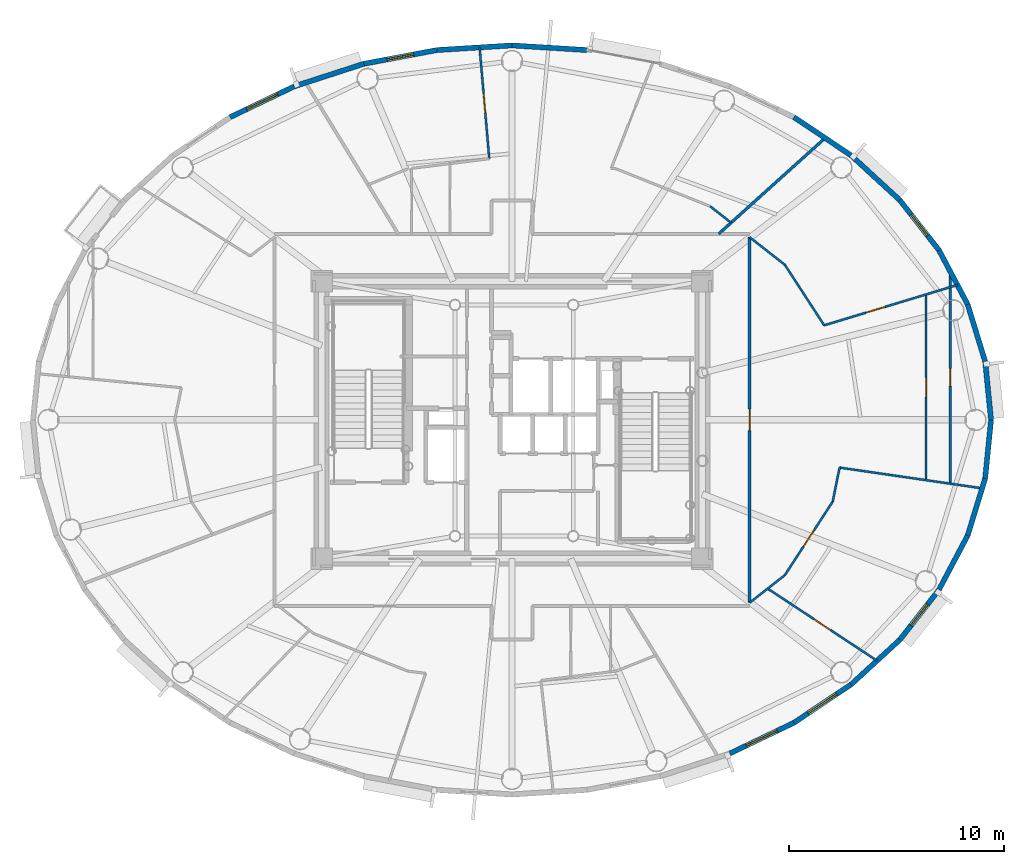
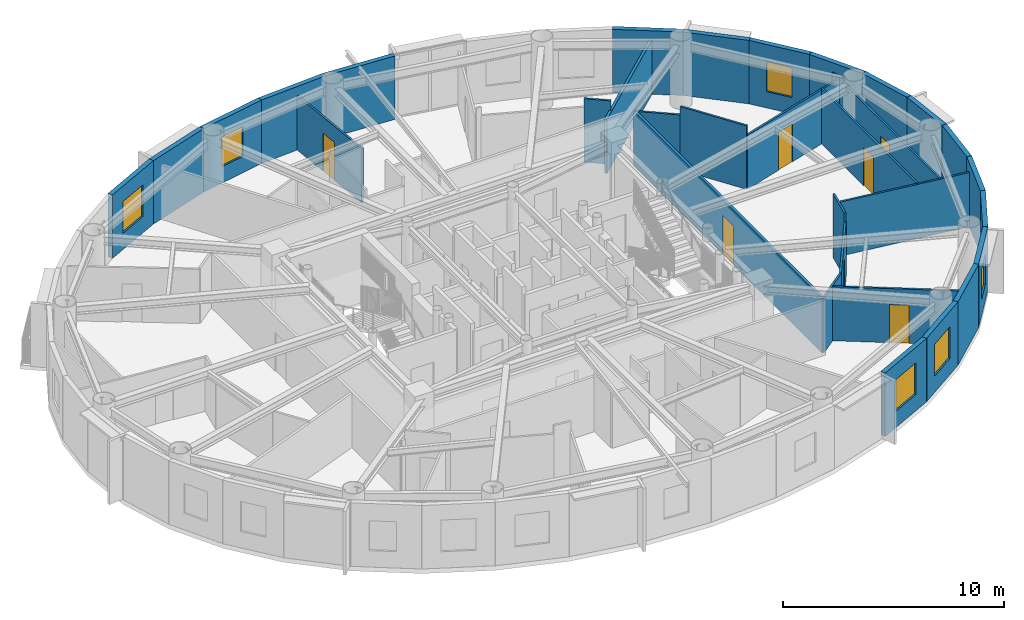
# One storey, part 9 of 17: 32 walls, 7 doors, 6 windows, 13 openings.
"""IFC4 building model written with IfcOpenShell, lengths in metres."""

from ifc_helpers import new_model, si_unit, direction, frame, frame_2d, origin, origin_2d, place, context, subcontext, project, spatial, rectangle, extrude, source, transform, mapped, material, layer, layer_set, type_object, element, fill, save


model = new_model("IFC4")

# Units and contexts
model_context = context("Model", 3, precision=1e-05, world=origin(), true_north=direction((0.0, 1.0)))
body_context = subcontext(model_context, "Body", "Model", "MODEL_VIEW")
ifc_project = project(units=[si_unit("LENGTHUNIT", "METRE"), si_unit("AREAUNIT", "SQUARE_METRE"), si_unit("VOLUMEUNIT", "CUBIC_METRE"), si_unit("PLANEANGLEUNIT", "RADIAN"), si_unit("MASSUNIT", "GRAM", prefix="KILO")], contexts=[model_context])

# Site, building, storey
site_placement = place(None, origin())
site = spatial("IfcSite", under=ifc_project, at=site_placement, CompositionType="ELEMENT")
building_placement = place(site_placement, origin())
building = spatial("IfcBuilding", under=site, at=building_placement, Name="Linh Dai School and Residence Tower", CompositionType="ELEMENT")
storey_placement = place(building_placement, frame((0.0, 0.0, 284.25)))
storey = spatial("IfcBuildingStorey", under=building, at=storey_placement, Name="L70", CompositionType="ELEMENT", Elevation=284.25)

# Walls
ifc_material_1 = material(Name="Precast Concrete B45 (C35/45)", Category="concrete")
ifc_layer_1 = layer(ifc_material_1, 0.239990234375)
ifc_layer_set_1 = layer_set([ifc_layer_1], Name="Precast Concrete B45 (C35/45)")
wall_type_1 = type_object("IfcWallType", Name="EW-TC-240", PredefinedType="SOLIDWALL", material=ifc_layer_set_1)
wall_1_placement = place(storey_placement, frame((58.001708984375, 29.718994140625, 0.0), z_axis=(0.0, 0.0, 1.0), x_axis=(0.099972526841, -0.99499019788, 0.0)))
element("IfcWall", 1, at=wall_1_placement, inside=storey, type_object=wall_type_1, Name="L70 Terracotta Exterior Wall 01", PredefinedType="SOLIDWALL", context=body_context, shape_type="SweptSolid", body=[
    extrude(rectangle(XDim=2.732666015625, YDim=0.239990234375, at=frame_2d((1.3662109375, 0.0))), origin(), (0.0, 0.0, 1.0), 3.5),
])
wall_2_placement = place(storey_placement, frame((57.188232421875, 32.372314453125, 0.0), z_axis=(0.0, 0.0, 1.0), x_axis=(0.2931213403, -0.956075248012, 0.0)))
element("IfcWall", 2, at=wall_2_placement, inside=storey, type_object=wall_type_1, Name="L70 Terracotta Exterior Wall 02", PredefinedType="SOLIDWALL", context=body_context, shape_type="SweptSolid", body=[
    extrude(rectangle(XDim=2.775146484375, YDim=0.239990234375, at=frame_2d((1.3876953125, 0.0))), origin(), (0.0, 0.0, 1.0), 3.5),
])
wall_3_placement = place(storey_placement, frame((55.853759765625, 34.894775390625, 0.0), z_axis=(0.0, 0.0, 1.0), x_axis=(0.467628269026, -0.883925224218, 0.0)))
element("IfcWall", 3, at=wall_3_placement, inside=storey, type_object=wall_type_1, Name="L70 Terracotta Exterior Wall 03", PredefinedType="SOLIDWALL", context=body_context, shape_type="SweptSolid", body=[
    extrude(rectangle(XDim=2.853759765625, YDim=0.239990234375, at=frame_2d((1.4267578125, 0.0))), origin(), (0.0, 0.0, 1.0), 3.5),
])

# Wall, opening, window
wall_4_placement = place(storey_placement, frame((54.0302734375, 37.224609375, 0.0), z_axis=(0.0, 0.0, 1.0), x_axis=(0.616337186556, -0.787482363275, 0.0)))
wall_4 = element("IfcWall", 4, at=wall_4_placement, inside=storey, type_object=wall_type_1, Name="L70 Terracotta Exterior Wall 04", PredefinedType="SOLIDWALL", context=body_context, shape_type="SweptSolid", body=[
    extrude(rectangle(XDim=2.95849609375, YDim=0.239990234375, at=frame_2d((1.479248046875, 0.0))), origin(), (0.0, 0.0, 1.0), 3.5),
])
opening_1_placement = place(wall_4_placement, frame((0.85400390625, 0.0, 0.89990234375)))
opening_1 = element("IfcOpeningElement", 5, at=opening_1_placement, cuts=wall_4, Name="Opening W3", PredefinedType="OPENING", context=body_context, shape_type="SweptSolid", body=[
    extrude(rectangle(XDim=1.25, YDim=1.64990234375, at=origin_2d()), frame((0.625, 0.1298828125, 0.824951171875), z_axis=(0.0, -1.0, 0.0), x_axis=(1.0, 0.0, 0.0)), (0.0, 0.0, 1.0), 0.260009765625),
])
ifc_material_2 = material(Name="Double Low-E Insulated Glazing", Category="glass")
window_type_1 = type_object("IfcWindowType", Name="WN-RES-1250x1650", PartitioningType="SINGLE_PANEL", PredefinedType="WINDOW", material=ifc_material_2)
shared_shape_1 = source(origin(), body_context, "Body", "SweptSolid", [
    extrude(rectangle(XDim=1.25, YDim=1.64990234375, at=origin_2d()), frame((0.625, 0.030029296875, 0.824951171875), z_axis=(0.0, -1.0, 0.0), x_axis=(1.0, 0.0, 0.0)), (0.0, 0.0, 1.0), 0.06005859375),
])
window_1_placement = place(opening_1_placement, origin())
window_1 = element("IfcWindow", 6, at=window_1_placement, inside=storey, type_object=window_type_1, Name="L70 Exterior Window 04.1", OverallHeight=1.64990234375, OverallWidth=1.25, PartitioningType="SINGLE_PANEL", PredefinedType="WINDOW", context=body_context, shape_type="MappedRepresentation", body=[
    mapped(shared_shape_1, transform((0.0, 0.0, 0.0), x_axis=(1.0, 0.0, 0.0), y_axis=(0.0, 1.0, 0.0), z_axis=(0.0, 0.0, 1.0), scale=1.0)),
])
fill(opening_1, window_1)

# Walls
wall_5_placement = place(storey_placement, frame((51.76220703125, 39.30419921875, 0.0), z_axis=(0.0, 0.0, 1.0), x_axis=(0.737068506972, -0.675818034703, 0.0)))
element("IfcWall", 7, at=wall_5_placement, inside=storey, type_object=wall_type_1, Name="L70 Terracotta Exterior Wall 05", PredefinedType="SOLIDWALL", context=body_context, shape_type="SweptSolid", body=[
    extrude(rectangle(XDim=3.0771484375, YDim=0.239990234375, at=frame_2d((1.53857421875, 0.0))), origin(), (0.0, 0.0, 1.0), 3.5),
])
wall_6_placement = place(storey_placement, frame((49.1044921875, 41.08154296875, 0.0), z_axis=(0.0, 0.0, 1.0), x_axis=(0.831250592635, -0.55589787933, 0.0)))
element("IfcWall", 8, at=wall_6_placement, inside=storey, type_object=wall_type_1, Name="L70 Terracotta Exterior Wall 06", PredefinedType="SOLIDWALL", context=body_context, shape_type="SweptSolid", body=[
    extrude(rectangle(XDim=3.197265625, YDim=0.239990234375, at=frame_2d((1.5986328125, 0.0))), origin(), (0.0, 0.0, 1.0), 3.5),
])
for number, where, z_axis, x_axis, name in (
    (9, (36.0, 44.4150390625, 0.0), (0.0, 0.0, 1.0), (0.998104946479, -0.061534671648, 0.0), "L70 Terracotta Exterior Wall 10"),
    (10, (32.51123046875, 44.199951171875, 0.0), (0.0, 0.0, 1.0), (0.998104946479, 0.061534671648, 0.0), "L70 Terracotta Exterior Wall 11"),
):
    element("IfcWall", number, at=place(storey_placement, frame(where, z_axis=z_axis, x_axis=x_axis)), inside=storey, type_object=wall_type_1, Name=name, PredefinedType="SOLIDWALL", context=body_context, shape_type="SweptSolid", body=[
        extrude(rectangle(XDim=3.495361328125, YDim=0.239990234375, at=frame_2d((1.74755859375, 0.0))), origin(), (0.0, 0.0, 1.0), 3.5),
    ])

# Wall, opening, window
wall_7_placement = place(storey_placement, frame((29.10888671875, 43.560302734375, 0.0), z_axis=(0.0, 0.0, 1.0), x_axis=(0.982782655757, 0.184765395959, 0.0)))
wall_7 = element("IfcWall", 11, at=wall_7_placement, inside=storey, type_object=wall_type_1, Name="L70 Terracotta Exterior Wall 12", PredefinedType="SOLIDWALL", context=body_context, shape_type="SweptSolid", body=[
    extrude(rectangle(XDim=3.4619140625, YDim=0.239990234375, at=frame_2d((1.73095703125, 0.0))), origin(), (0.0, 0.0, 1.0), 3.5),
])
opening_2_placement = place(wall_7_placement, frame((1.10595703125, 0.0, 0.89990234375)))
opening_2 = element("IfcOpeningElement", 12, at=opening_2_placement, cuts=wall_7, Name="Opening W3", PredefinedType="OPENING", context=body_context, shape_type="SweptSolid", body=[
    extrude(rectangle(XDim=1.25, YDim=1.64990234375, at=origin_2d()), frame((0.625, 0.1298828125, 0.824951171875), z_axis=(0.0, -1.0, 0.0), x_axis=(1.0, 0.0, 0.0)), (0.0, 0.0, 1.0), 0.260009765625),
])
window_2_placement = place(opening_2_placement, origin())
window_2 = element("IfcWindow", 13, at=window_2_placement, inside=storey, type_object=window_type_1, Name="L70 Dwelling Window U7001-BD2", OverallHeight=1.64990234375, OverallWidth=1.25, PartitioningType="SINGLE_PANEL", PredefinedType="WINDOW", context=body_context, shape_type="MappedRepresentation", body=[
    mapped(shared_shape_1, transform((0.0, 0.0, 0.0), x_axis=(1.0, 0.0, 0.0), y_axis=(0.0, 1.0, 0.0), z_axis=(0.0, 0.0, 1.0), scale=1.0)),
])
fill(opening_2, window_2)

# Wall
wall_8_placement = place(storey_placement, frame((25.876953125, 42.51220703125, 0.0), z_axis=(0.0, 0.0, 1.0), x_axis=(0.95123136723, 0.308478339592, 0.0)))
element("IfcWall", 14, at=wall_8_placement, inside=storey, type_object=wall_type_1, Name="L70 Terracotta Exterior Wall 13", PredefinedType="SOLIDWALL", context=body_context, shape_type="SweptSolid", body=[
    extrude(rectangle(XDim=3.397705078125, YDim=0.239990234375, at=frame_2d((1.69873046875, 0.0))), origin(), (0.0, 0.0, 1.0), 3.5),
])

# Wall, opening, window
wall_9_placement = place(storey_placement, frame((22.8955078125, 41.08154296875, 0.0), z_axis=(0.0, 0.0, 1.0), x_axis=(0.901573741254, 0.43262546051, 0.0)))
wall_9 = element("IfcWall", 15, at=wall_9_placement, inside=storey, type_object=wall_type_1, Name="L70 Terracotta Exterior Wall 14", PredefinedType="SOLIDWALL", context=body_context, shape_type="SweptSolid", body=[
    extrude(rectangle(XDim=3.306884765625, YDim=0.239990234375, at=frame_2d((1.6533203125, 0.0))), origin(), (0.0, 0.0, 1.0), 3.5),
])
opening_3_placement = place(wall_9_placement, frame((0.853515625, 0.0, 0.89990234375)))
opening_3 = element("IfcOpeningElement", 16, at=opening_3_placement, cuts=wall_9, Name="Opening W2", PredefinedType="OPENING", context=body_context, shape_type="SweptSolid", body=[
    extrude(rectangle(XDim=1.60009765625, YDim=1.75, at=origin_2d()), frame((0.800048828125, 0.1298828125, 0.875), z_axis=(0.0, -1.0, 0.0), x_axis=(1.0, 0.0, 0.0)), (0.0, 0.0, 1.0), 0.260009765625),
])
window_type_2 = type_object("IfcWindowType", Name="WN-RES-1600x1750", PartitioningType="DOUBLE_PANEL_VERTICAL", PredefinedType="WINDOW", material=ifc_material_2)
shared_shape_2 = source(origin(), body_context, "Body", "SweptSolid", [
    extrude(rectangle(XDim=1.60009765625, YDim=1.75, at=origin_2d()), frame((0.800048828125, 0.030029296875, 0.875), z_axis=(0.0, -1.0, 0.0), x_axis=(1.0, 0.0, 0.0)), (0.0, 0.0, 1.0), 0.06005859375),
])
window_3_placement = place(opening_3_placement, origin())
window_3 = element("IfcWindow", 17, at=window_3_placement, inside=storey, type_object=window_type_2, Name="L70 Exterior Window 14.1", OverallHeight=1.75, OverallWidth=1.60009765625, PartitioningType="DOUBLE_PANEL_VERTICAL", PredefinedType="WINDOW", context=body_context, shape_type="MappedRepresentation", body=[
    mapped(shared_shape_2, transform((0.0, 0.0, 0.0), x_axis=(1.0, 0.0, 0.0), y_axis=(0.0, 1.0, 0.0), z_axis=(0.0, 0.0, 1.0), scale=1.0)),
])
fill(opening_3, window_3)

wall_10_placement = place(storey_placement, frame((49.1044921875, 12.91845703125, 0.0), z_axis=(0.0, 0.0, 1.0), x_axis=(-0.901573741254, -0.43262546051, 0.0)))
wall_10 = element("IfcWall", 18, at=wall_10_placement, inside=storey, type_object=wall_type_1, Name="L70 Terracotta Exterior Wall 34", PredefinedType="SOLIDWALL", context=body_context, shape_type="SweptSolid", body=[
    extrude(rectangle(XDim=3.306884765625, YDim=0.239990234375, at=frame_2d((1.6533203125, 0.0))), origin(), (0.0, 0.0, 1.0), 3.5),
])
opening_4_placement = place(wall_10_placement, frame((0.853515625, 0.0, 0.89990234375)))
opening_4 = element("IfcOpeningElement", 19, at=opening_4_placement, cuts=wall_10, Name="Opening W2", PredefinedType="OPENING", context=body_context, shape_type="SweptSolid", body=[
    extrude(rectangle(XDim=1.60009765625, YDim=1.75, at=origin_2d()), frame((0.800048828125, 0.1298828125, 0.875), z_axis=(0.0, -1.0, 0.0), x_axis=(1.0, 0.0, 0.0)), (0.0, 0.0, 1.0), 0.260009765625),
])
window_4_placement = place(opening_4_placement, origin())
window_4 = element("IfcWindow", 20, at=window_4_placement, inside=storey, type_object=window_type_2, Name="L70 Exterior Window 34.1", OverallHeight=1.75, OverallWidth=1.60009765625, PartitioningType="DOUBLE_PANEL_VERTICAL", PredefinedType="WINDOW", context=body_context, shape_type="MappedRepresentation", body=[
    mapped(shared_shape_2, transform((0.0, 0.0, 0.0), x_axis=(1.0, 0.0, 0.0), y_axis=(0.0, 1.0, 0.0), z_axis=(0.0, 0.0, 1.0), scale=1.0)),
])
fill(opening_4, window_4)

wall_11_placement = place(storey_placement, frame((51.76220703125, 14.69580078125, 0.0), z_axis=(0.0, 0.0, 1.0), x_axis=(-0.831250592635, -0.55589787933, 0.0)))
wall_11 = element("IfcWall", 21, at=wall_11_placement, inside=storey, type_object=wall_type_1, Name="L70 Terracotta Exterior Wall 35", PredefinedType="SOLIDWALL", context=body_context, shape_type="SweptSolid", body=[
    extrude(rectangle(XDim=3.197265625, YDim=0.239990234375, at=frame_2d((1.5986328125, 0.0))), origin(), (0.0, 0.0, 1.0), 3.5),
])
opening_5_placement = place(wall_11_placement, frame((0.798583984375, 0.0, 0.89990234375)))
opening_5 = element("IfcOpeningElement", 22, at=opening_5_placement, cuts=wall_11, Name="Opening W2", PredefinedType="OPENING", context=body_context, shape_type="SweptSolid", body=[
    extrude(rectangle(XDim=1.60009765625, YDim=1.75, at=origin_2d()), frame((0.800048828125, 0.1298828125, 0.875), z_axis=(0.0, -1.0, 0.0), x_axis=(1.0, 0.0, 0.0)), (0.0, 0.0, 1.0), 0.260009765625),
])
window_5_placement = place(opening_5_placement, origin())
window_5 = element("IfcWindow", 23, at=window_5_placement, inside=storey, type_object=window_type_2, Name="L70 Exterior Window 35.1", OverallHeight=1.75, OverallWidth=1.60009765625, PartitioningType="DOUBLE_PANEL_VERTICAL", PredefinedType="WINDOW", context=body_context, shape_type="MappedRepresentation", body=[
    mapped(shared_shape_2, transform((0.0, 0.0, 0.0), x_axis=(1.0, 0.0, 0.0), y_axis=(0.0, 1.0, 0.0), z_axis=(0.0, 0.0, 1.0), scale=1.0)),
])
fill(opening_5, window_5)

# Wall
wall_12_placement = place(storey_placement, frame((54.0302734375, 16.775390625, 0.0), z_axis=(0.0, 0.0, 1.0), x_axis=(-0.737068506972, -0.675818034703, 0.0)))
element("IfcWall", 24, at=wall_12_placement, inside=storey, type_object=wall_type_1, Name="L70 Terracotta Exterior Wall 36", PredefinedType="SOLIDWALL", context=body_context, shape_type="SweptSolid", body=[
    extrude(rectangle(XDim=3.0771484375, YDim=0.239990234375, at=frame_2d((1.53857421875, 0.0))), origin(), (0.0, 0.0, 1.0), 3.5),
])

# Wall, opening, window
wall_13_placement = place(storey_placement, frame((55.853759765625, 19.105224609375, 0.0), z_axis=(0.0, 0.0, 1.0), x_axis=(-0.616337186556, -0.787482363275, 0.0)))
wall_13 = element("IfcWall", 25, at=wall_13_placement, inside=storey, type_object=wall_type_1, Name="L70 Terracotta Exterior Wall 37", PredefinedType="SOLIDWALL", context=body_context, shape_type="SweptSolid", body=[
    extrude(rectangle(XDim=2.95849609375, YDim=0.239990234375, at=frame_2d((1.479248046875, 0.0))), origin(), (0.0, 0.0, 1.0), 3.5),
])
opening_6_placement = place(wall_13_placement, frame((0.8544921875, 0.0, 0.89990234375)))
opening_6 = element("IfcOpeningElement", 26, at=opening_6_placement, cuts=wall_13, Name="Opening W3", PredefinedType="OPENING", context=body_context, shape_type="SweptSolid", body=[
    extrude(rectangle(XDim=1.25, YDim=1.64990234375, at=origin_2d()), frame((0.625, 0.1298828125, 0.824951171875), z_axis=(0.0, -1.0, 0.0), x_axis=(1.0, 0.0, 0.0)), (0.0, 0.0, 1.0), 0.260009765625),
])
window_6_placement = place(opening_6_placement, origin())
window_6 = element("IfcWindow", 27, at=window_6_placement, inside=storey, type_object=window_type_1, Name="L70 Exterior Window 37.1", OverallHeight=1.64990234375, OverallWidth=1.25, PartitioningType="SINGLE_PANEL", PredefinedType="WINDOW", context=body_context, shape_type="MappedRepresentation", body=[
    mapped(shared_shape_1, transform((0.0, 0.0, 0.0), x_axis=(1.0, 0.0, 0.0), y_axis=(0.0, 1.0, 0.0), z_axis=(0.0, 0.0, 1.0), scale=1.0)),
])
fill(opening_6, window_6)

# Walls
wall_14_placement = place(storey_placement, frame((57.188232421875, 21.627685546875, 0.0), z_axis=(0.0, 0.0, 1.0), x_axis=(-0.467628269026, -0.883925224218, 0.0)))
element("IfcWall", 28, at=wall_14_placement, inside=storey, type_object=wall_type_1, Name="L70 Terracotta Exterior Wall 38", PredefinedType="SOLIDWALL", context=body_context, shape_type="SweptSolid", body=[
    extrude(rectangle(XDim=2.853759765625, YDim=0.239990234375, at=frame_2d((1.4267578125, 0.0))), origin(), (0.0, 0.0, 1.0), 3.5),
])
wall_15_placement = place(storey_placement, frame((58.001708984375, 24.281005859375, 0.0), z_axis=(0.0, 0.0, 1.0), x_axis=(-0.2931213403, -0.956075248012, 0.0)))
element("IfcWall", 29, at=wall_15_placement, inside=storey, type_object=wall_type_1, Name="L70 Terracotta Exterior Wall 39", PredefinedType="SOLIDWALL", context=body_context, shape_type="SweptSolid", body=[
    extrude(rectangle(XDim=2.775146484375, YDim=0.239990234375, at=frame_2d((1.3876953125, 0.0))), origin(), (0.0, 0.0, 1.0), 3.5),
])
wall_16_placement = place(storey_placement, frame((58.27490234375, 27.0, 0.0), z_axis=(0.0, 0.0, 1.0), x_axis=(-0.099972526841, -0.99499019788, 0.0)))
element("IfcWall", 30, at=wall_16_placement, inside=storey, type_object=wall_type_1, Name="L70 Terracotta Exterior Wall 40", PredefinedType="SOLIDWALL", context=body_context, shape_type="SweptSolid", body=[
    extrude(rectangle(XDim=2.732666015625, YDim=0.239990234375, at=frame_2d((1.3662109375, 0.0))), origin(), (0.0, 0.0, 1.0), 3.5),
])
ifc_material_3 = material(Name="Autoclaved Aerated Concrete Blockwork", Category="masonry")
ifc_layer_2 = layer(ifc_material_3, 0.135009765625)
ifc_layer_set_2 = layer_set([ifc_layer_2], Name="Autoclaved Aerated Concrete Blockwork")
wall_type_2 = type_object("IfcWallType", Name="IW-CORR-135-EI90", PredefinedType="PARTITIONING", material=ifc_layer_set_2)
wall_17_placement = place(storey_placement, frame((45.606689453125, 35.64990234375, 0.0), z_axis=(0.0, 0.0, 1.0), x_axis=(0.743148504456, 0.669126520416, 0.0)))
element("IfcWall", 31, at=wall_17_placement, inside=storey, type_object=wall_type_2, Name="L70 Interior Partition Wall 072", PredefinedType="PARTITIONING", context=body_context, shape_type="SweptSolid", body=[
    extrude(rectangle(XDim=6.6689453125, YDim=0.135009765625, at=frame_2d((3.33447265625, 0.0))), origin(), (0.0, 0.0, 1.0), 2.985107421875),
])

# Wall, opening, door
wall_18_placement = place(storey_placement, frame((47.050048828125, 18.502685546875, 0.0), z_axis=(0.0, 0.0, 1.0), x_axis=(0.0, 1.0, 0.0)))
wall_18 = element("IfcWall", 32, at=wall_18_placement, inside=storey, type_object=wall_type_2, Name="L70 Interior Partition Wall 073", PredefinedType="PARTITIONING", context=body_context, shape_type="SweptSolid", body=[
    extrude(rectangle(XDim=16.99462890625, YDim=0.135009765625, at=frame_2d((8.497314453125, 0.0))), origin(), (0.0, 0.0, 1.0), 3.034912109375),
])
opening_7_placement = place(wall_18_placement, frame((7.997314453125, 0.0, 0.0)))
opening_7 = element("IfcOpeningElement", 33, at=opening_7_placement, cuts=wall_18, Name="Opening D03", PredefinedType="OPENING", context=body_context, shape_type="SweptSolid", body=[
    extrude(rectangle(XDim=1.0, YDim=2.14990234375, at=origin_2d()), frame((0.5, 0.07763671875, 1.074951171875), z_axis=(0.0, -1.0, 0.0), x_axis=(1.0, 0.0, 0.0)), (0.0, 0.0, 1.0), 0.155029296875),
])
ifc_material_4 = material(Name="Fire-Rated Solid Timber Entrance Door", Category="wood")
door_type_1 = type_object("IfcDoorType", Name="DR-FLAT-1000x2150-FD60S", OperationType="NOTDEFINED", PredefinedType="DOOR", material=ifc_material_4)
shared_shape_3 = source(origin(), body_context, "Body", "SweptSolid", [
    extrude(rectangle(XDim=1.0, YDim=2.14990234375, at=origin_2d()), frame((0.5, 0.02490234375, 1.074951171875), z_axis=(0.0, -1.0, 0.0), x_axis=(1.0, 0.0, 0.0)), (0.0, 0.0, 1.0), 0.050048828125),
])
door_1_placement = place(opening_7_placement, origin())
door_1 = element("IfcDoor", 34, at=door_1_placement, inside=storey, type_object=door_type_1, Name="L70 U7004 Apartment Entrance Door", OperationType="SINGLE_SWING_RIGHT", OverallHeight=2.14990234375, OverallWidth=1.0, PredefinedType="DOOR", context=body_context, shape_type="MappedRepresentation", body=[
    mapped(shared_shape_3, transform((0.0, 0.0, 0.0), x_axis=(1.0, 0.0, 0.0), y_axis=(0.0, 1.0, 0.0), z_axis=(0.0, 0.0, 1.0), scale=1.0)),
])
fill(opening_7, door_1)

ifc_material_5 = material(Name="Gypsum Plasterboard Acoustic Stud Partition", Category="masonry")
ifc_layer_3 = layer(ifc_material_5, 0.10009765625)
ifc_layer_set_3 = layer_set([ifc_layer_3], Name="Gypsum Plasterboard Acoustic Stud Partition")
wall_type_3 = type_object("IfcWallType", Name="IW-UNIT-100", PredefinedType="PARTITIONING", material=ifc_layer_set_3)
wall_19_placement = place(storey_placement, frame((34.492431640625, 44.3271484375, 0.0), z_axis=(0.0, 0.0, 1.0), x_axis=(0.086674190257, -0.9962367112, 0.0)))
wall_19 = element("IfcWall", 35, at=wall_19_placement, inside=storey, type_object=wall_type_3, Name="L70 Interior Partition Wall 032", PredefinedType="PARTITIONING", context=body_context, shape_type="SweptSolid", body=[
    extrude(rectangle(XDim=5.19970703125, YDim=0.10009765625, at=frame_2d((2.599853515625, 0.0))), origin(), (0.0, 0.0, 1.0), 2.985107421875),
])
opening_8_placement = place(wall_19_placement, frame((2.14990234375, 0.0, 0.0)))
opening_8 = element("IfcOpeningElement", 36, at=opening_8_placement, cuts=wall_19, Name="Opening D05", PredefinedType="OPENING", context=body_context, shape_type="SweptSolid", body=[
    extrude(rectangle(XDim=0.89990234375, YDim=2.10009765625, at=origin_2d()), frame((0.449951171875, 0.06005859375, 1.050048828125), z_axis=(0.0, -1.0, 0.0), x_axis=(1.0, 0.0, 0.0)), (0.0, 0.0, 1.0), 0.1201171875),
])
ifc_material_6 = material(Name="Engineered Timber Internal Door", Category="wood")
door_type_2 = type_object("IfcDoorType", Name="DR-INT-900x2100", OperationType="NOTDEFINED", PredefinedType="DOOR", material=ifc_material_6)
shared_shape_4 = source(origin(), body_context, "Body", "SweptSolid", [
    extrude(rectangle(XDim=0.89990234375, YDim=2.10009765625, at=origin_2d()), frame((0.449951171875, 0.02490234375, 1.050048828125), z_axis=(0.0, -1.0, 0.0), x_axis=(1.0, 0.0, 0.0)), (0.0, 0.0, 1.0), 0.050048828125),
])
door_2_placement = place(opening_8_placement, origin())
door_2 = element("IfcDoor", 37, at=door_2_placement, inside=storey, type_object=door_type_2, Name="L70 Apartment U7001 Bedroom 2 Door", OperationType="SINGLE_SWING_RIGHT", OverallHeight=2.10009765625, OverallWidth=0.89990234375, PredefinedType="DOOR", context=body_context, shape_type="MappedRepresentation", body=[
    mapped(shared_shape_4, transform((0.0, 0.0, 0.0), x_axis=(1.0, 0.0, 0.0), y_axis=(0.0, 1.0, 0.0), z_axis=(0.0, 0.0, 1.0), scale=1.0)),
])
fill(opening_8, door_2)

# Walls
wall_20_placement = place(storey_placement, frame((45.216552734375, 36.93310546875, 0.0), z_axis=(0.0, 0.0, 1.0), x_axis=(0.787354580016, -0.616500417946, 0.0)))
element("IfcWall", 38, at=wall_20_placement, inside=storey, type_object=wall_type_3, Name="L70 Interior Partition Wall 071", PredefinedType="PARTITIONING", context=body_context, shape_type="SweptSolid", body=[
    extrude(rectangle(XDim=1.233154296875, YDim=0.10009765625, at=frame_2d((0.61669921875, 0.0))), origin(), (0.0, 0.0, 1.0), 3.5),
])
for number, where, z_axis, x_axis, name in (
    (39, (47.050048828125, 18.502685546875, 0.0), (0.0, 0.0, 1.0), (0.787328855274, 0.616533270516, 0.0), "L70 Interior Partition Wall 074"),
    (40, (47.050048828125, 35.497314453125, 0.0), (0.0, 0.0, 1.0), (0.787328855274, -0.616533270516, 0.0), "L70 Interior Partition Wall 075"),
):
    element("IfcWall", number, at=place(storey_placement, frame(where, z_axis=z_axis, x_axis=x_axis)), inside=storey, type_object=wall_type_3, Name=name, PredefinedType="PARTITIONING", context=body_context, shape_type="SweptSolid", body=[
        extrude(rectangle(XDim=2.076904296875, YDim=0.10009765625, at=frame_2d((1.03857421875, 0.0))), origin(), (0.0, 0.0, 1.0), 3.034912109375),
    ])

# Wall, opening, door
wall_21_placement = place(storey_placement, frame((47.888671875, 19.1591796875, 0.0), z_axis=(0.0, 0.0, 1.0), x_axis=(0.834800486956, -0.550552583299, 0.0)))
wall_21 = element("IfcWall", 41, at=wall_21_placement, inside=storey, type_object=wall_type_3, Name="L70 Interior Partition Wall 076", PredefinedType="PARTITIONING", context=body_context, shape_type="SweptSolid", body=[
    extrude(rectangle(XDim=6.095703125, YDim=0.10009765625, at=frame_2d((3.0478515625, 0.0))), origin(), (0.0, 0.0, 1.0), 2.985107421875),
])
opening_9_placement = place(wall_21_placement, frame((2.597900390625, 0.0, 0.0)))
opening_9 = element("IfcOpeningElement", 42, at=opening_9_placement, cuts=wall_21, Name="Opening D05", PredefinedType="OPENING", context=body_context, shape_type="SweptSolid", body=[
    extrude(rectangle(XDim=0.89990234375, YDim=2.10009765625, at=origin_2d()), frame((0.449951171875, 0.06005859375, 1.050048828125), z_axis=(0.0, -1.0, 0.0), x_axis=(1.0, 0.0, 0.0)), (0.0, 0.0, 1.0), 0.1201171875),
])
door_3_placement = place(opening_9_placement, origin())
door_3 = element("IfcDoor", 43, at=door_3_placement, inside=storey, type_object=door_type_2, Name="L70 Apartment U7004 Principal Bedroom 1 Door", OperationType="SINGLE_SWING_RIGHT", OverallHeight=2.10009765625, OverallWidth=0.89990234375, PredefinedType="DOOR", context=body_context, shape_type="MappedRepresentation", body=[
    mapped(shared_shape_4, transform((0.0, 0.0, 0.0), x_axis=(1.0, 0.0, 0.0), y_axis=(0.0, 1.0, 0.0), z_axis=(0.0, 0.0, 1.0), scale=1.0)),
])
fill(opening_9, door_3)

wall_22_placement = place(storey_placement, frame((48.685302734375, 19.783203125, 0.0), z_axis=(0.0, 0.0, 1.0), x_axis=(0.545435886628, 0.838152547916, 0.0)))
wall_22 = element("IfcWall", 44, at=wall_22_placement, inside=storey, type_object=wall_type_3, Name="L70 Interior Partition Wall 077", PredefinedType="PARTITIONING", context=body_context, shape_type="SweptSolid", body=[
    extrude(rectangle(XDim=4.08349609375, YDim=0.10009765625, at=frame_2d((2.041748046875, 0.0))), origin(), (0.0, 0.0, 1.0), 3.034912109375),
])
opening_10_placement = place(wall_22_placement, frame((1.591796875, 0.0, 0.0)))
opening_10 = element("IfcOpeningElement", 45, at=opening_10_placement, cuts=wall_22, Name="Opening D05", PredefinedType="OPENING", context=body_context, shape_type="SweptSolid", body=[
    extrude(rectangle(XDim=0.89990234375, YDim=2.10009765625, at=origin_2d()), frame((0.449951171875, 0.06005859375, 1.050048828125), z_axis=(0.0, -1.0, 0.0), x_axis=(1.0, 0.0, 0.0)), (0.0, 0.0, 1.0), 0.1201171875),
])
door_4_placement = place(opening_10_placement, origin())
door_4 = element("IfcDoor", 46, at=door_4_placement, inside=storey, type_object=door_type_2, Name="L70 Apartment U7004 Principal Bedroom 2 Door", OperationType="SINGLE_SWING_LEFT", OverallHeight=2.10009765625, OverallWidth=0.89990234375, PredefinedType="DOOR", context=body_context, shape_type="MappedRepresentation", body=[
    mapped(shared_shape_4, transform((0.0, 0.0, 0.0), x_axis=(1.0, 0.0, 0.0), y_axis=(0.0, 1.0, 0.0), z_axis=(0.0, 0.0, 1.0), scale=1.0)),
])
fill(opening_10, door_4)

# Wall
wall_23_placement = place(storey_placement, frame((48.685302734375, 34.216796875, 0.0), z_axis=(0.0, 0.0, 1.0), x_axis=(0.545425092352, -0.838159572297, 0.0)))
element("IfcWall", 47, at=wall_23_placement, inside=storey, type_object=wall_type_3, Name="L70 Interior Partition Wall 078", PredefinedType="PARTITIONING", context=body_context, shape_type="SweptSolid", body=[
    extrude(rectangle(XDim=3.359375, YDim=0.10009765625, at=frame_2d((1.6796875, 0.0))), origin(), (0.0, 0.0, 1.0), 3.5),
])

# Wall, opening, door
wall_24_placement = place(storey_placement, frame((50.517578125, 31.401123046875, 0.0), z_axis=(0.0, 0.0, 1.0), x_axis=(0.956995224849, 0.290103670462, 0.0)))
wall_24 = element("IfcWall", 48, at=wall_24_placement, inside=storey, type_object=wall_type_3, Name="L70 Interior Partition Wall 079", PredefinedType="PARTITIONING", context=body_context, shape_type="SweptSolid", body=[
    extrude(rectangle(XDim=6.47509765625, YDim=0.10009765625, at=frame_2d((3.237548828125, 0.0))), origin(), (0.0, 0.0, 1.0), 2.985107421875),
])
opening_11_placement = place(wall_24_placement, frame((2.045166015625, 0.0, 0.0)))
opening_11 = element("IfcOpeningElement", 49, at=opening_11_placement, cuts=wall_24, Name="Opening D05", PredefinedType="OPENING", context=body_context, shape_type="SweptSolid", body=[
    extrude(rectangle(XDim=0.89990234375, YDim=2.10009765625, at=origin_2d()), frame((0.449951171875, 0.06005859375, 1.050048828125), z_axis=(0.0, -1.0, 0.0), x_axis=(1.0, 0.0, 0.0)), (0.0, 0.0, 1.0), 0.1201171875),
])
door_5_placement = place(opening_11_placement, origin())
door_5 = element("IfcDoor", 50, at=door_5_placement, inside=storey, type_object=door_type_2, Name="L70 Apartment U7004 Principal Bedroom 3 Door", OperationType="SINGLE_SWING_RIGHT", OverallHeight=2.10009765625, OverallWidth=0.89990234375, PredefinedType="DOOR", context=body_context, shape_type="MappedRepresentation", body=[
    mapped(shared_shape_4, transform((0.0, 0.0, 0.0), x_axis=(1.0, 0.0, 0.0), y_axis=(0.0, 1.0, 0.0), z_axis=(0.0, 0.0, 1.0), scale=1.0)),
])
fill(opening_11, door_5)

# Walls
wall_25_placement = place(storey_placement, frame((50.91259765625, 23.205810546875, 0.0), z_axis=(0.0, 0.0, 1.0), x_axis=(0.19824173141, 0.980153159423, 0.0)))
element("IfcWall", 51, at=wall_25_placement, inside=storey, type_object=wall_type_3, Name="L70 Interior Partition Wall 080", PredefinedType="PARTITIONING", context=body_context, shape_type="SweptSolid", body=[
    extrude(rectangle(XDim=1.612060546875, YDim=0.10009765625, at=frame_2d((0.80615234375, 0.0))), origin(), (0.0, 0.0, 1.0), 3.5),
])
wall_26_placement = place(storey_placement, frame((51.232177734375, 24.785888671875, 0.0), z_axis=(0.0, 0.0, 1.0), x_axis=(0.989599074058, -0.143852954864, 0.0)))
element("IfcWall", 52, at=wall_26_placement, inside=storey, type_object=wall_type_3, Name="L70 Interior Partition Wall 081", PredefinedType="PARTITIONING", context=body_context, shape_type="SweptSolid", body=[
    extrude(rectangle(XDim=6.703857421875, YDim=0.10009765625, at=frame_2d((3.35205078125, 0.0))), origin(), (0.0, 0.0, 1.0), 2.985107421875),
])

# Wall, opening, door
wall_27_placement = place(storey_placement, frame((55.255126953125, 24.201171875, 0.0), z_axis=(0.0, 0.0, 1.0), x_axis=(0.0, 1.0, 0.0)))
wall_27 = element("IfcWall", 53, at=wall_27_placement, inside=storey, type_object=wall_type_3, Name="L70 Interior Partition Wall 082", PredefinedType="PARTITIONING", context=body_context, shape_type="SweptSolid", body=[
    extrude(rectangle(XDim=8.635986328125, YDim=0.10009765625, at=frame_2d((4.31787109375, 0.0))), origin(), (0.0, 0.0, 1.0), 3.034912109375),
])
opening_12_placement = place(wall_27_placement, frame((3.867919921875, 0.0, 0.0)))
opening_12 = element("IfcOpeningElement", 54, at=opening_12_placement, cuts=wall_27, Name="Opening D05", PredefinedType="OPENING", context=body_context, shape_type="SweptSolid", body=[
    extrude(rectangle(XDim=0.89990234375, YDim=2.10009765625, at=origin_2d()), frame((0.449951171875, 0.06005859375, 1.050048828125), z_axis=(0.0, -1.0, 0.0), x_axis=(1.0, 0.0, 0.0)), (0.0, 0.0, 1.0), 0.1201171875),
])
door_6_placement = place(opening_12_placement, origin())
door_6 = element("IfcDoor", 55, at=door_6_placement, inside=storey, type_object=door_type_2, Name="L70 Apartment U7004 Kitchen Door", OperationType="SINGLE_SWING_LEFT", OverallHeight=2.10009765625, OverallWidth=0.89990234375, PredefinedType="DOOR", context=body_context, shape_type="MappedRepresentation", body=[
    mapped(shared_shape_4, transform((0.0, 0.0, 0.0), x_axis=(1.0, 0.0, 0.0), y_axis=(0.0, 1.0, 0.0), z_axis=(0.0, 0.0, 1.0), scale=1.0)),
])
fill(opening_12, door_6)

wall_28_placement = place(storey_placement, frame((56.3740234375, 24.03857421875, 0.0), z_axis=(0.0, 0.0, 1.0), x_axis=(0.0, 1.0, 0.0)))
wall_28 = element("IfcWall", 56, at=wall_28_placement, inside=storey, type_object=wall_type_3, Name="L70 Interior Partition Wall 083", PredefinedType="PARTITIONING", context=body_context, shape_type="SweptSolid", body=[
    extrude(rectangle(XDim=9.883544921875, YDim=0.10009765625, at=frame_2d((4.94189453125, 0.0))), origin(), (0.0, 0.0, 1.0), 2.985107421875),
])
opening_13_placement = place(wall_28_placement, frame((4.53173828125, 0.0, 0.0)))
opening_13 = element("IfcOpeningElement", 57, at=opening_13_placement, cuts=wall_28, Name="Opening D06", PredefinedType="OPENING", context=body_context, shape_type="SweptSolid", body=[
    extrude(rectangle(XDim=0.820068359375, YDim=2.10009765625, at=origin_2d()), frame((0.41015625, 0.06005859375, 1.050048828125), z_axis=(0.0, -1.0, 0.0), x_axis=(1.0, 0.0, 0.0)), (0.0, 0.0, 1.0), 0.1201171875),
])
ifc_material_7 = material(Name="Moisture-Resistant Timber Bathroom Door", Category="wood")
door_type_3 = type_object("IfcDoorType", Name="DR-WET-820x2100", OperationType="NOTDEFINED", PredefinedType="DOOR", material=ifc_material_7)
shared_shape_5 = source(origin(), body_context, "Body", "SweptSolid", [
    extrude(rectangle(XDim=0.820068359375, YDim=2.10009765625, at=origin_2d()), frame((0.41015625, 0.02490234375, 1.050048828125), z_axis=(0.0, -1.0, 0.0), x_axis=(1.0, 0.0, 0.0)), (0.0, 0.0, 1.0), 0.050048828125),
])
door_7_placement = place(opening_13_placement, origin())
door_7 = element("IfcDoor", 58, at=door_7_placement, inside=storey, type_object=door_type_3, Name="L70 Apartment U7004 Bathroom 1 Door", OperationType="SINGLE_SWING_LEFT", OverallHeight=2.10009765625, OverallWidth=0.820068359375, PredefinedType="DOOR", context=body_context, shape_type="MappedRepresentation", body=[
    mapped(shared_shape_5, transform((0.0, 0.0, 0.0), x_axis=(1.0, 0.0, 0.0), y_axis=(0.0, 1.0, 0.0), z_axis=(0.0, 0.0, 1.0), scale=1.0)),
])
fill(opening_13, door_7)

save(model, "model.ifc")
